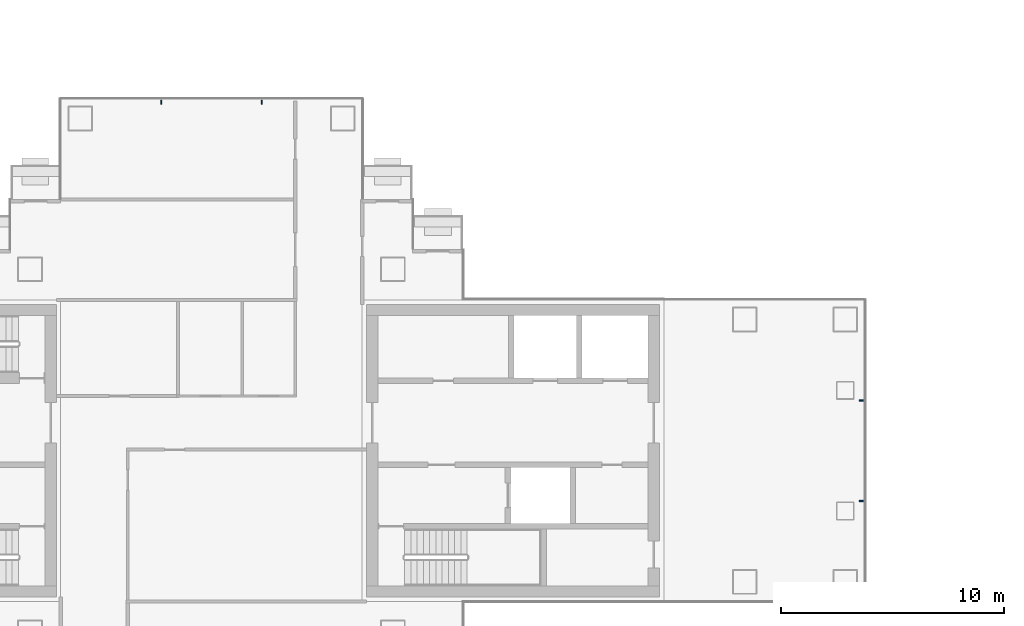
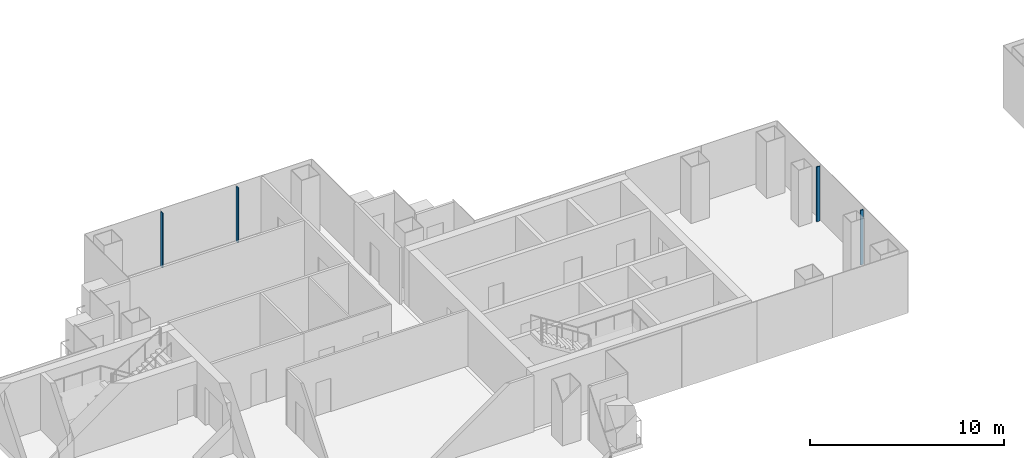
# One storey, part 4 of 16: 4 members, 2 elements without a shape of their own.
"""IFC4 building model written with IfcOpenShell, lengths in metres."""

from ifc_helpers import new_model, si_unit, direction, frame, origin, origin_2d, place, context, subcontext, project, spatial, rectangle, extrude, material, layer, layer_set, material_profile, profile_set, type_object, element, aggregate, save


model = new_model("IFC4")

# Units and contexts
model_context = context("Model", 3, precision=1e-05, world=origin(), true_north=direction((0.0, 1.0)))
body_context = subcontext(model_context, "Body", "Model", "MODEL_VIEW")
ifc_project = project(units=[si_unit("LENGTHUNIT", "METRE"), si_unit("AREAUNIT", "SQUARE_METRE"), si_unit("VOLUMEUNIT", "CUBIC_METRE"), si_unit("PLANEANGLEUNIT", "RADIAN"), si_unit("MASSUNIT", "GRAM", prefix="KILO")], contexts=[model_context])

# Site, building, storey
site_placement = place(None, origin())
site = spatial("IfcSite", under=ifc_project, at=site_placement, CompositionType="ELEMENT")
building_placement = place(site_placement, origin())
building = spatial("IfcBuilding", under=site, at=building_placement, Name="Shamsa Quay Exchange Towers", CompositionType="ELEMENT")
storey_placement = place(building_placement, frame((0.0, 0.0, 158.39990234375)))
storey = spatial("IfcBuildingStorey", under=building, at=storey_placement, Name="L37", CompositionType="ELEMENT", Elevation=158.39990234375)

# Curtain wall, members
ifc_material = material(Name="Aluminium EN AW-6063 T6, black anodised", Category="aluminium")
ifc_layer = layer(ifc_material, 0.280029296875)
ifc_layer_set = layer_set([ifc_layer], Name="CW-1 UNITISED VISION GLASS")
curtain_wall_type = type_object("IfcCurtainWallType", Name="CW-1 UNITISED VISION GLASS", PredefinedType="NOTDEFINED", material=ifc_layer_set)
curtain_wall_1_placement = place(storey_placement, origin())
curtain_wall_1 = element("IfcCurtainWall", 1, at=curtain_wall_1_placement, inside=storey, type_object=curtain_wall_type, Name="CW1 T1-END-U+ L37", PredefinedType="NOTDEFINED")
ifc_material_profile = material_profile(ifc_material, rectangle(XDim=0.179931640625, YDim=0.06005859375, at=origin_2d()), Name="MU60x180")
ifc_profile_set = profile_set([ifc_material_profile], Name="Aluminium EN AW-6063 T6, black anodised")
member_type = type_object("IfcMemberType", Name="CW1 MULLION 60x180", PredefinedType="MULLION", material=ifc_profile_set)
member_1_placement = place(storey_placement, frame((-4.64990234375, -2.25, 0.0), z_axis=(0.0, 0.0, 1.0), x_axis=(-1.0, 0.0, 0.0)))
member_1 = element("IfcMember", 2, at=member_1_placement, type_object=member_type, Name="CW1 mullion", PredefinedType="MULLION", context=body_context, shape_type="SweptSolid", body=[
    extrude(rectangle(XDim=0.179931640625, YDim=0.06005859375, at=origin_2d()), origin(), (0.0, 0.0, 1.0), 3.4501953125),
])
member_2_placement = place(storey_placement, frame((-4.64990234375, 2.25, 0.0), z_axis=(0.0, 0.0, 1.0), x_axis=(-1.0, 0.0, 0.0)))
member_2 = element("IfcMember", 3, at=member_2_placement, type_object=member_type, Name="CW1 mullion", PredefinedType="MULLION", context=body_context, shape_type="SweptSolid", body=[
    extrude(rectangle(XDim=0.179931640625, YDim=0.06005859375, at=origin_2d()), origin(), (0.0, 0.0, 1.0), 3.4501953125),
])
aggregate(curtain_wall_1, [member_1, member_2])

curtain_wall_2_placement = place(storey_placement, origin())
curtain_wall_2 = element("IfcCurtainWall", 4, at=curtain_wall_2_placement, inside=storey, type_object=curtain_wall_type, Name="CW1 T1-END-V+ L37", PredefinedType="NOTDEFINED")
member_3_placement = place(storey_placement, frame((-31.5, 15.60009765625, 0.0), z_axis=(0.0, 0.0, 1.0), x_axis=(0.0, -1.0, 0.0)))
member_3 = element("IfcMember", 5, at=member_3_placement, type_object=member_type, Name="CW1 mullion", PredefinedType="MULLION", context=body_context, shape_type="SweptSolid", body=[
    extrude(rectangle(XDim=0.179931640625, YDim=0.06005859375, at=origin_2d()), origin(), (0.0, 0.0, 1.0), 3.4501953125),
])
member_4_placement = place(storey_placement, frame((-36.0, 15.60009765625, 0.0), z_axis=(0.0, 0.0, 1.0), x_axis=(0.0, -1.0, 0.0)))
member_4 = element("IfcMember", 6, at=member_4_placement, type_object=member_type, Name="CW1 mullion", PredefinedType="MULLION", context=body_context, shape_type="SweptSolid", body=[
    extrude(rectangle(XDim=0.179931640625, YDim=0.06005859375, at=origin_2d()), origin(), (0.0, 0.0, 1.0), 3.4501953125),
])
aggregate(curtain_wall_2, [member_3, member_4])

save(model, "model.ifc")
